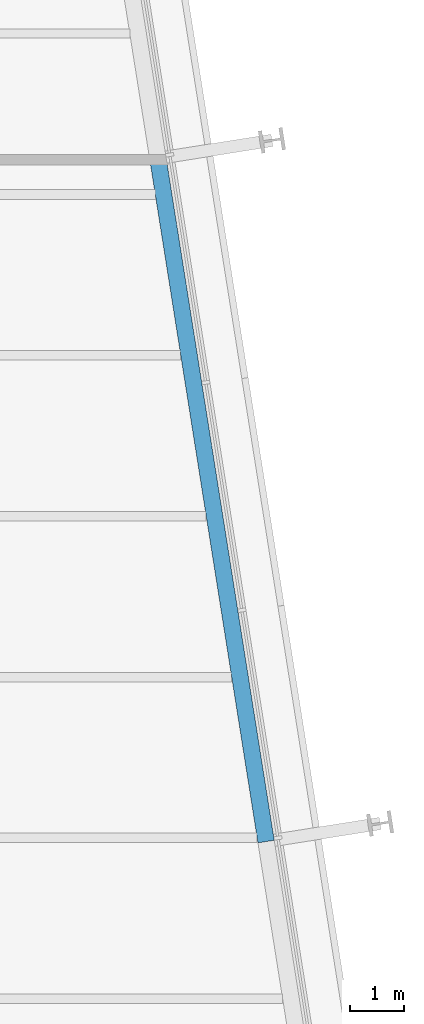
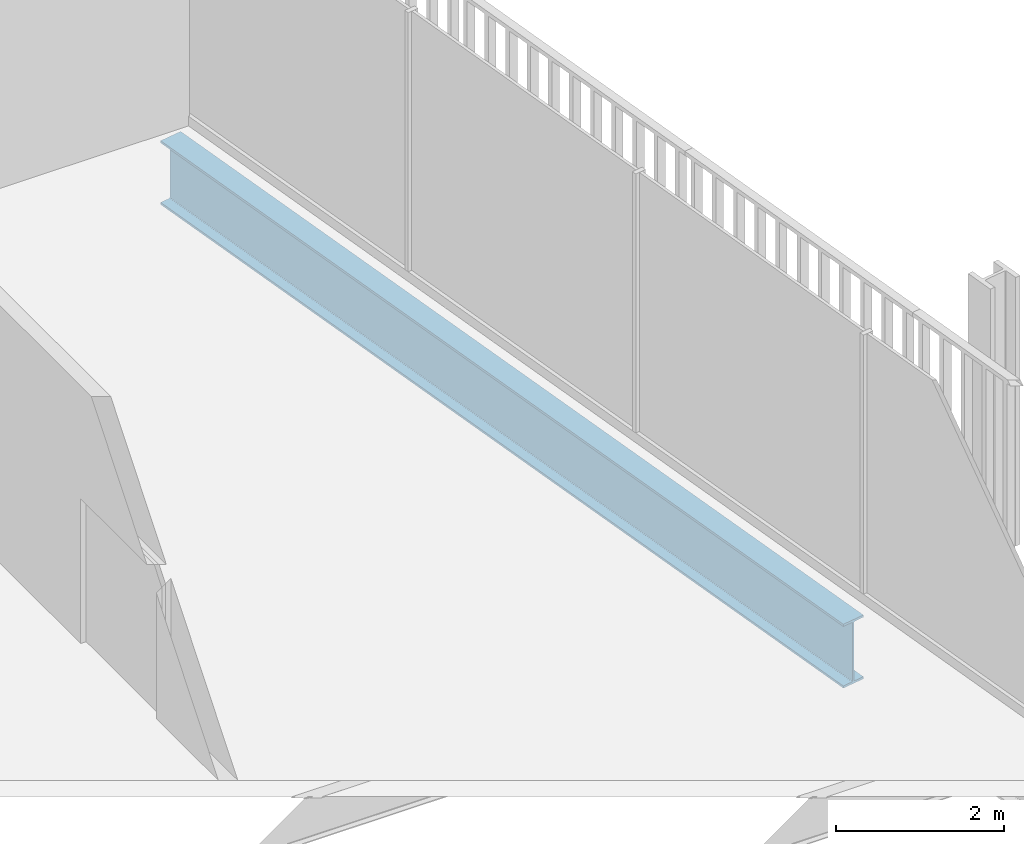
# One storey, part 9 of 21: 1 beam.
"""IFC4 building model written with IfcOpenShell, lengths in metres."""

from ifc_helpers import new_model, si_unit, direction, frame, origin, origin_2d, place, context, subcontext, project, spatial, i_section, extrude, material, material_profile, profile_set, type_object, element, save


model = new_model("IFC4")

# Units and contexts
model_context = context("Model", 3, precision=1e-05, world=origin(), true_north=direction((0.0, 1.0)))
body_context = subcontext(model_context, "Body", "Model", "MODEL_VIEW")
ifc_project = project(units=[si_unit("LENGTHUNIT", "METRE"), si_unit("AREAUNIT", "SQUARE_METRE"), si_unit("VOLUMEUNIT", "CUBIC_METRE"), si_unit("PLANEANGLEUNIT", "RADIAN"), si_unit("MASSUNIT", "GRAM", prefix="KILO")], contexts=[model_context])

# Site, building, storey
site_placement = place(None, origin())
site = spatial("IfcSite", under=ifc_project, at=site_placement, CompositionType="ELEMENT")
building_placement = place(site_placement, origin())
building = spatial("IfcBuilding", under=site, at=building_placement, Name="Millrace Tower", CompositionType="ELEMENT")
storey_placement = place(building_placement, frame((0.0, 0.0, 133.39990234375)))
storey = spatial("IfcBuildingStorey", under=building, at=storey_placement, Name="L29", CompositionType="ELEMENT", Elevation=133.39990234375)

# Beam
ifc_material = material(Name="Steel ASTM A992 Grade 50", Category="steel")
ifc_material_profile = material_profile(ifc_material, i_section(OverallWidth=0.307373046875, OverallDepth=0.927001953125, WebThickness=0.01953125, FlangeThickness=0.031982421875, FilletRadius=0.01904296875, at=origin_2d()))
ifc_profile_set = profile_set([ifc_material_profile], Name="Steel ASTM A992 Grade 50")
beam_type = type_object("IfcBeamType", Name="Ring beam medium span W36x194", PredefinedType="SPANDREL", material=ifc_profile_set)
beam_placement = place(storey_placement, frame((23.25, 9.6728515625, -0.62353515625), z_axis=(0.15642030113, -0.987690583834, 0.0), x_axis=(0.987690583834, 0.15642030113, 0.0)))
element("IfcBeam", 1, at=beam_placement, inside=storey, type_object=beam_type, Name="RNG-C-L29-S1-10", PredefinedType="SPANDREL", context=body_context, shape_type="SweptSolid", body=[
    extrude(i_section(OverallWidth=0.307373046875, OverallDepth=0.927001953125, WebThickness=0.01953125, FlangeThickness=0.031982421875, FilletRadius=0.01904296875, at=origin_2d()), origin(), (0.0, 0.0, 1.0), 12.89990234375),
])

save(model, "model.ifc")
